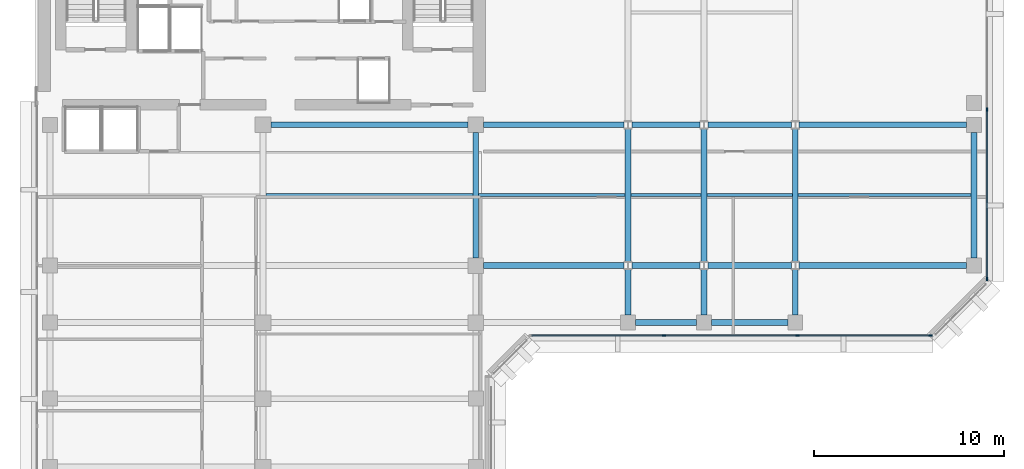
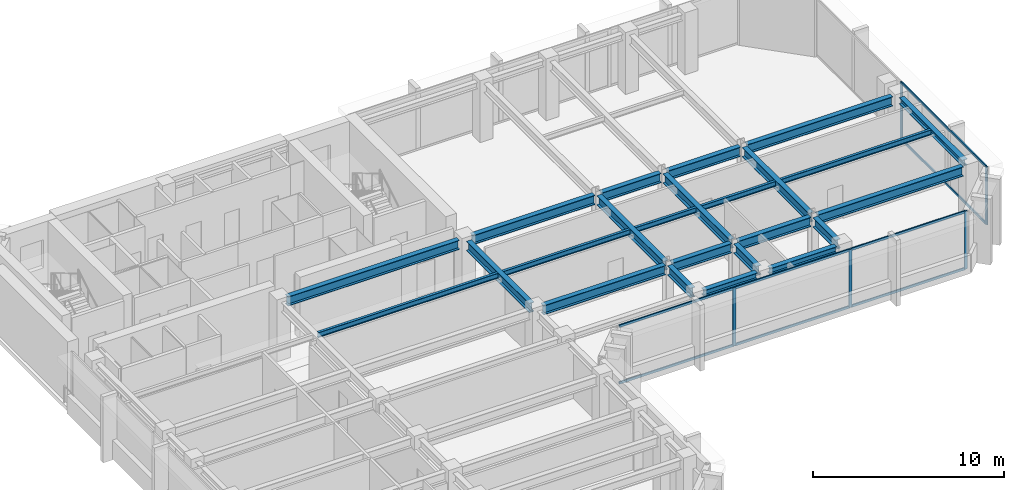
# One storey, part 3 of 12: 24 beams, 13 members, 2 elements without a shape of their own.
"""IFC4 building model written with IfcOpenShell, lengths in metres."""

from ifc_helpers import new_model, si_unit, direction, frame, origin, origin_2d, place, context, subcontext, project, spatial, rectangle, i_section, extrude, material, layer, layer_set, material_profile, profile_set, type_object, element, aggregate, save


model = new_model("IFC4")

# Units and contexts
model_context = context("Model", 3, precision=1e-05, world=origin(), true_north=direction((0.0, 1.0)))
body_context = subcontext(model_context, "Body", "Model", "MODEL_VIEW")
ifc_project = project(units=[si_unit("LENGTHUNIT", "METRE"), si_unit("AREAUNIT", "SQUARE_METRE"), si_unit("VOLUMEUNIT", "CUBIC_METRE"), si_unit("PLANEANGLEUNIT", "RADIAN"), si_unit("MASSUNIT", "GRAM", prefix="KILO")], contexts=[model_context])

# Site, building, storey
site_placement = place(None, origin())
site = spatial("IfcSite", under=ifc_project, at=site_placement, CompositionType="ELEMENT")
building_placement = place(site_placement, origin())
building = spatial("IfcBuilding", under=site, at=building_placement, Name="Kefirva Bronze Tower", CompositionType="ELEMENT")
storey_placement = place(building_placement, frame((0.0, 0.0, 264.330078125)))
storey = spatial("IfcBuildingStorey", under=building, at=storey_placement, Name="L64", CompositionType="ELEMENT", Elevation=264.330078125)

# Curtain wall, members
ifc_material_1 = material(Name="Bronze anodised aluminium", Category="aluminium")
ifc_layer = layer(ifc_material_1, 0.179931640625, Name="Bronze anodised aluminium")
ifc_layer_set = layer_set([ifc_layer], Name="Bronze anodised aluminium")
curtain_wall_type = type_object("IfcCurtainWallType", Name="Unitised Bronze Ribbon Curtain Wall Zone 3", PredefinedType="USERDEFINED", material=ifc_layer_set)
curtain_wall_1_placement = place(storey_placement, origin())
curtain_wall_1 = element("IfcCurtainWall", 1, at=curtain_wall_1_placement, inside=storey, type_object=curtain_wall_type, Name="L64 Curtain Wall 1", ObjectType="UNITISED CURTAIN WALL", PredefinedType="USERDEFINED")
ifc_material_profile_1 = material_profile(ifc_material_1, rectangle(XDim=0.074951171875, YDim=0.179931640625, at=origin_2d()), Name="ALU 75x180")
ifc_profile_set_1 = profile_set([ifc_material_profile_1], Name="Bronze anodised aluminium")
member_type_1 = type_object("IfcMemberType", Name="Bronze Mullion 75x180", PredefinedType="MULLION", material=ifc_profile_set_1)
member_1_placement = place(storey_placement, frame((33.0849609375, 22.1201171875, 0.0), z_axis=(0.0, 0.0, 1.0), x_axis=(0.0, 1.0, 0.0)))
member_1 = element("IfcMember", 2, at=member_1_placement, type_object=member_type_1, Name="CW-03 mullion 2", PredefinedType="MULLION", context=body_context, shape_type="SweptSolid", body=[
    extrude(rectangle(XDim=0.074951171875, YDim=0.179931640625, at=origin_2d()), origin(), (0.0, 0.0, 1.0), 3.7099609375),
])
member_2_placement = place(storey_placement, frame((40.114990234375, 22.1201171875, 0.0), z_axis=(0.0, 0.0, 1.0), x_axis=(0.0, 1.0, 0.0)))
member_2 = element("IfcMember", 3, at=member_2_placement, type_object=member_type_1, Name="CW-03 mullion 3", PredefinedType="MULLION", context=body_context, shape_type="SweptSolid", body=[
    extrude(rectangle(XDim=0.074951171875, YDim=0.179931640625, at=origin_2d()), origin(), (0.0, 0.0, 1.0), 3.7099609375),
])
member_3_placement = place(storey_placement, frame((47.107421875, 22.1201171875, 0.0), z_axis=(0.0, 0.0, 1.0), x_axis=(0.0, 1.0, 0.0)))
member_3 = element("IfcMember", 4, at=member_3_placement, type_object=member_type_1, Name="CW-03 mullion 4", PredefinedType="MULLION", context=body_context, shape_type="SweptSolid", body=[
    extrude(rectangle(XDim=0.074951171875, YDim=0.179931640625, at=origin_2d()), origin(), (0.0, 0.0, 1.0), 3.7099609375),
])

curtain_wall_2_placement = place(storey_placement, origin())
curtain_wall_2 = element("IfcCurtainWall", 5, at=curtain_wall_2_placement, inside=storey, type_object=curtain_wall_type, Name="L64 Curtain Wall 2", ObjectType="UNITISED CURTAIN WALL", PredefinedType="USERDEFINED")
member_4_placement = place(storey_placement, frame((50.080078125, 25.092529296875, 0.0), z_axis=(0.0, 0.0, 1.0), x_axis=(-1.0, 0.0, 0.0)))
member_4 = element("IfcMember", 6, at=member_4_placement, type_object=member_type_1, Name="CW-03 mullion 1", PredefinedType="MULLION", context=body_context, shape_type="SweptSolid", body=[
    extrude(rectangle(XDim=0.074951171875, YDim=0.179931640625, at=origin_2d()), origin(), (0.0, 0.0, 1.0), 3.7099609375),
])
member_5_placement = place(storey_placement, frame((50.080078125, 34.0, 0.0), z_axis=(0.0, 0.0, 1.0), x_axis=(-1.0, 0.0, 0.0)))
member_5 = element("IfcMember", 7, at=member_5_placement, type_object=member_type_1, Name="CW-03 mullion 2", PredefinedType="MULLION", context=body_context, shape_type="SweptSolid", body=[
    extrude(rectangle(XDim=0.074951171875, YDim=0.179931640625, at=origin_2d()), origin(), (0.0, 0.0, 1.0), 3.7099609375),
])

# Member
ifc_material_profile_2 = material_profile(ifc_material_1, rectangle(XDim=0.074951171875, YDim=0.14990234375, at=origin_2d()), Name="ALU 75x150")
ifc_profile_set_2 = profile_set([ifc_material_profile_2], Name="Bronze anodised aluminium")
member_type_2 = type_object("IfcMemberType", Name="Bronze Transom 75x150", PredefinedType="USERDEFINED", material=ifc_profile_set_2)
member_6_placement = place(storey_placement, frame((26.1298828125, 22.1201171875, 0.037353515625), z_axis=(1.0, 0.0, 0.0), x_axis=(0.0, 1.0, 0.0)))
member_6 = element("IfcMember", 8, at=member_6_placement, type_object=member_type_2, Name="CW-03 transom 1.1", ObjectType="TRANSOM", PredefinedType="USERDEFINED", context=body_context, shape_type="SweptSolid", body=[
    extrude(rectangle(XDim=0.074951171875, YDim=0.14990234375, at=origin_2d()), origin(), (0.0, 0.0, 1.0), 6.917724609375),
])

member_7_placement = place(storey_placement, frame((26.1298828125, 22.1201171875, 3.67236328125), z_axis=(1.0, 0.0, 0.0), x_axis=(0.0, 1.0, 0.0)))
member_7 = element("IfcMember", 9, at=member_7_placement, type_object=member_type_2, Name="CW-03 transom 1.2", ObjectType="TRANSOM", PredefinedType="USERDEFINED", context=body_context, shape_type="SweptSolid", body=[
    extrude(rectangle(XDim=0.074951171875, YDim=0.14990234375, at=origin_2d()), origin(), (0.0, 0.0, 1.0), 6.917724609375),
])

member_8_placement = place(storey_placement, frame((33.12255859375, 22.1201171875, 0.037353515625), z_axis=(1.0, 0.0, 0.0), x_axis=(0.0, 1.0, 0.0)))
member_8 = element("IfcMember", 10, at=member_8_placement, type_object=member_type_2, Name="CW-03 transom 2.1", ObjectType="TRANSOM", PredefinedType="USERDEFINED", context=body_context, shape_type="SweptSolid", body=[
    extrude(rectangle(XDim=0.074951171875, YDim=0.14990234375, at=origin_2d()), origin(), (0.0, 0.0, 1.0), 6.954833984375),
])

member_9_placement = place(storey_placement, frame((33.12255859375, 22.1201171875, 3.67236328125), z_axis=(1.0, 0.0, 0.0), x_axis=(0.0, 1.0, 0.0)))
member_9 = element("IfcMember", 11, at=member_9_placement, type_object=member_type_2, Name="CW-03 transom 2.2", ObjectType="TRANSOM", PredefinedType="USERDEFINED", context=body_context, shape_type="SweptSolid", body=[
    extrude(rectangle(XDim=0.074951171875, YDim=0.14990234375, at=origin_2d()), origin(), (0.0, 0.0, 1.0), 6.954833984375),
])

member_10_placement = place(storey_placement, frame((40.152587890625, 22.1201171875, 0.037353515625), z_axis=(1.0, 0.0, 0.0), x_axis=(0.0, 1.0, 0.0)))
member_10 = element("IfcMember", 12, at=member_10_placement, type_object=member_type_2, Name="CW-03 transom 3.1", ObjectType="TRANSOM", PredefinedType="USERDEFINED", context=body_context, shape_type="SweptSolid", body=[
    extrude(rectangle(XDim=0.074951171875, YDim=0.14990234375, at=origin_2d()), origin(), (0.0, 0.0, 1.0), 6.91748046875),
])

member_11_placement = place(storey_placement, frame((40.152587890625, 22.1201171875, 3.67236328125), z_axis=(1.0, 0.0, 0.0), x_axis=(0.0, 1.0, 0.0)))
member_11 = element("IfcMember", 13, at=member_11_placement, type_object=member_type_2, Name="CW-03 transom 3.2", ObjectType="TRANSOM", PredefinedType="USERDEFINED", context=body_context, shape_type="SweptSolid", body=[
    extrude(rectangle(XDim=0.074951171875, YDim=0.14990234375, at=origin_2d()), origin(), (0.0, 0.0, 1.0), 6.91748046875),
])

aggregate(curtain_wall_1, [member_1, member_2, member_3, member_6, member_7, member_8, member_9, member_10, member_11])

member_12_placement = place(storey_placement, frame((50.080078125, 25.1298828125, 0.037353515625), z_axis=(0.0, 1.0, 0.0), x_axis=(-1.0, 0.0, 0.0)))
member_12 = element("IfcMember", 14, at=member_12_placement, type_object=member_type_2, Name="CW-03 transom 1.1", ObjectType="TRANSOM", PredefinedType="USERDEFINED", context=body_context, shape_type="SweptSolid", body=[
    extrude(rectangle(XDim=0.074951171875, YDim=0.14990234375, at=origin_2d()), origin(), (0.0, 0.0, 1.0), 8.83251953125),
])

member_13_placement = place(storey_placement, frame((50.080078125, 25.1298828125, 3.67236328125), z_axis=(0.0, 1.0, 0.0), x_axis=(-1.0, 0.0, 0.0)))
member_13 = element("IfcMember", 15, at=member_13_placement, type_object=member_type_2, Name="CW-03 transom 1.2", ObjectType="TRANSOM", PredefinedType="USERDEFINED", context=body_context, shape_type="SweptSolid", body=[
    extrude(rectangle(XDim=0.074951171875, YDim=0.14990234375, at=origin_2d()), origin(), (0.0, 0.0, 1.0), 8.83251953125),
])

aggregate(curtain_wall_2, [member_4, member_5, member_12, member_13])

# Beams
ifc_material_2 = material(Name="Steel S355", Category="steel")
ifc_material_profile_3 = material_profile(ifc_material_2, i_section(OverallWidth=0.159912109375, OverallDepth=0.330078125, WebThickness=0.007568359375, FlangeThickness=0.011474609375, at=origin_2d()), Name="IPE 330")
ifc_profile_set_3 = profile_set([ifc_material_profile_3], Name="Steel S355")
beam_type_1 = type_object("IfcBeamType", Name="Steel Floor Joist IPE 330", PredefinedType="JOIST", material=ifc_profile_set_3)
beam_1_placement = place(storey_placement, frame((12.14990234375, 29.5, 3.544921875), z_axis=(1.0, 0.0, 0.0), x_axis=(0.0, 1.0, 0.0)))
element("IfcBeam", 16, at=beam_1_placement, inside=storey, type_object=beam_type_1, Name="L64 JST-L64-12-295", PredefinedType="JOIST", context=body_context, shape_type="SweptSolid", body=[
    extrude(i_section(OverallWidth=0.159912109375, OverallDepth=0.330078125, WebThickness=0.007568359375, FlangeThickness=0.011474609375, at=origin_2d()), origin(), (0.0, 0.0, 1.0), 10.900146484375),
])
beam_2_placement = place(storey_placement, frame((23.35009765625, 29.5, 3.544921875), z_axis=(1.0, 0.0, 0.0), x_axis=(0.0, 1.0, 0.0)))
element("IfcBeam", 17, at=beam_2_placement, inside=storey, type_object=beam_type_1, Name="L64 JST-L64-23-295", PredefinedType="JOIST", context=body_context, shape_type="SweptSolid", body=[
    extrude(i_section(OverallWidth=0.159912109375, OverallDepth=0.330078125, WebThickness=0.007568359375, FlangeThickness=0.011474609375, at=origin_2d()), origin(), (0.0, 0.0, 1.0), 7.699951171875),
])
beam_3_placement = place(storey_placement, frame((31.35009765625, 29.5, 3.544921875), z_axis=(1.0, 0.0, 0.0), x_axis=(0.0, 1.0, 0.0)))
element("IfcBeam", 18, at=beam_3_placement, inside=storey, type_object=beam_type_1, Name="L64 JST-L64-31-295", PredefinedType="JOIST", context=body_context, shape_type="SweptSolid", body=[
    extrude(i_section(OverallWidth=0.159912109375, OverallDepth=0.330078125, WebThickness=0.007568359375, FlangeThickness=0.011474609375, at=origin_2d()), origin(), (0.0, 0.0, 1.0), 3.699951171875),
])
beam_4_placement = place(storey_placement, frame((35.35009765625, 29.5, 3.544921875), z_axis=(1.0, 0.0, 0.0), x_axis=(0.0, 1.0, 0.0)))
element("IfcBeam", 19, at=beam_4_placement, inside=storey, type_object=beam_type_1, Name="L64 JST-L64-35-295", PredefinedType="JOIST", context=body_context, shape_type="SweptSolid", body=[
    extrude(i_section(OverallWidth=0.159912109375, OverallDepth=0.330078125, WebThickness=0.007568359375, FlangeThickness=0.011474609375, at=origin_2d()), origin(), (0.0, 0.0, 1.0), 4.5),
])
beam_5_placement = place(storey_placement, frame((40.14990234375, 29.5, 3.544921875), z_axis=(1.0, 0.0, 0.0), x_axis=(0.0, 1.0, 0.0)))
element("IfcBeam", 20, at=beam_5_placement, inside=storey, type_object=beam_type_1, Name="L64 JST-L64-40-295", PredefinedType="JOIST", context=body_context, shape_type="SweptSolid", body=[
    extrude(i_section(OverallWidth=0.159912109375, OverallDepth=0.330078125, WebThickness=0.007568359375, FlangeThickness=0.011474609375, at=origin_2d()), origin(), (0.0, 0.0, 1.0), 9.10009765625),
])
ifc_material_profile_4 = material_profile(ifc_material_2, i_section(OverallWidth=0.300048828125, OverallDepth=0.60009765625, WebThickness=0.015380859375, FlangeThickness=0.030029296875, at=origin_2d()), Name="HEB 600")
ifc_profile_set_4 = profile_set([ifc_material_profile_4], Name="Steel S355")
beam_type_2 = type_object("IfcBeamType", Name="Steel Girder HEB 600", PredefinedType="USERDEFINED", material=ifc_profile_set_4)
beam_6_placement = place(storey_placement, frame((23.610107421875, 25.800048828125, 3.409912109375), z_axis=(1.0, 0.0, 0.0), x_axis=(0.0, 1.0, 0.0)))
element("IfcBeam", 21, at=beam_6_placement, inside=storey, type_object=beam_type_2, Name="L64 BM-L64-EW-23-258", ObjectType="GIRDER", PredefinedType="USERDEFINED", context=body_context, shape_type="SweptSolid", body=[
    extrude(i_section(OverallWidth=0.300048828125, OverallDepth=0.60009765625, WebThickness=0.015380859375, FlangeThickness=0.030029296875, at=origin_2d()), origin(), (0.0, 0.0, 1.0), 7.3837890625),
])
beam_7_placement = place(storey_placement, frame((31.406005859375, 25.800048828125, 3.409912109375), z_axis=(1.0, 0.0, 0.0), x_axis=(0.0, 1.0, 0.0)))
element("IfcBeam", 22, at=beam_7_placement, inside=storey, type_object=beam_type_2, Name="L64 BM-L64-EW-31-258", ObjectType="GIRDER", PredefinedType="USERDEFINED", context=body_context, shape_type="SweptSolid", body=[
    extrude(i_section(OverallWidth=0.300048828125, OverallDepth=0.60009765625, WebThickness=0.015380859375, FlangeThickness=0.030029296875, at=origin_2d()), origin(), (0.0, 0.0, 1.0), 3.587890625),
])
beam_8_placement = place(storey_placement, frame((35.406005859375, 25.800048828125, 3.409912109375), z_axis=(1.0, 0.0, 0.0), x_axis=(0.0, 1.0, 0.0)))
element("IfcBeam", 23, at=beam_8_placement, inside=storey, type_object=beam_type_2, Name="L64 BM-L64-EW-35-258", ObjectType="GIRDER", PredefinedType="USERDEFINED", context=body_context, shape_type="SweptSolid", body=[
    extrude(i_section(OverallWidth=0.300048828125, OverallDepth=0.60009765625, WebThickness=0.015380859375, FlangeThickness=0.030029296875, at=origin_2d()), origin(), (0.0, 0.0, 1.0), 4.387939453125),
])
beam_9_placement = place(storey_placement, frame((40.2060546875, 25.800048828125, 3.409912109375), z_axis=(1.0, 0.0, 0.0), x_axis=(0.0, 1.0, 0.0)))
element("IfcBeam", 24, at=beam_9_placement, inside=storey, type_object=beam_type_2, Name="L64 BM-L64-EW-40-258", ObjectType="GIRDER", PredefinedType="USERDEFINED", context=body_context, shape_type="SweptSolid", body=[
    extrude(i_section(OverallWidth=0.300048828125, OverallDepth=0.60009765625, WebThickness=0.015380859375, FlangeThickness=0.030029296875, at=origin_2d()), origin(), (0.0, 0.0, 1.0), 8.803955078125),
])
beam_10_placement = place(storey_placement, frame((12.409912109375, 33.199951171875, 3.409912109375), z_axis=(1.0, 0.0, 0.0), x_axis=(0.0, 1.0, 0.0)))
element("IfcBeam", 25, at=beam_10_placement, inside=storey, type_object=beam_type_2, Name="L64 BM-L64-EW-12-332", ObjectType="GIRDER", PredefinedType="USERDEFINED", context=body_context, shape_type="SweptSolid", body=[
    extrude(i_section(OverallWidth=0.300048828125, OverallDepth=0.60009765625, WebThickness=0.015380859375, FlangeThickness=0.030029296875, at=origin_2d()), origin(), (0.0, 0.0, 1.0), 10.380126953125),
])
beam_11_placement = place(storey_placement, frame((23.610107421875, 33.199951171875, 3.409912109375), z_axis=(1.0, 0.0, 0.0), x_axis=(0.0, 1.0, 0.0)))
element("IfcBeam", 26, at=beam_11_placement, inside=storey, type_object=beam_type_2, Name="L64 BM-L64-EW-23-332", ObjectType="GIRDER", PredefinedType="USERDEFINED", context=body_context, shape_type="SweptSolid", body=[
    extrude(i_section(OverallWidth=0.300048828125, OverallDepth=0.60009765625, WebThickness=0.015380859375, FlangeThickness=0.030029296875, at=origin_2d()), origin(), (0.0, 0.0, 1.0), 7.3837890625),
])
beam_12_placement = place(storey_placement, frame((31.406005859375, 33.199951171875, 3.409912109375), z_axis=(1.0, 0.0, 0.0), x_axis=(0.0, 1.0, 0.0)))
element("IfcBeam", 27, at=beam_12_placement, inside=storey, type_object=beam_type_2, Name="L64 BM-L64-EW-31-332", ObjectType="GIRDER", PredefinedType="USERDEFINED", context=body_context, shape_type="SweptSolid", body=[
    extrude(i_section(OverallWidth=0.300048828125, OverallDepth=0.60009765625, WebThickness=0.015380859375, FlangeThickness=0.030029296875, at=origin_2d()), origin(), (0.0, 0.0, 1.0), 3.587890625),
])
beam_13_placement = place(storey_placement, frame((35.406005859375, 33.199951171875, 3.409912109375), z_axis=(1.0, 0.0, 0.0), x_axis=(0.0, 1.0, 0.0)))
element("IfcBeam", 28, at=beam_13_placement, inside=storey, type_object=beam_type_2, Name="L64 BM-L64-EW-35-332", ObjectType="GIRDER", PredefinedType="USERDEFINED", context=body_context, shape_type="SweptSolid", body=[
    extrude(i_section(OverallWidth=0.300048828125, OverallDepth=0.60009765625, WebThickness=0.015380859375, FlangeThickness=0.030029296875, at=origin_2d()), origin(), (0.0, 0.0, 1.0), 4.387939453125),
])
beam_14_placement = place(storey_placement, frame((40.2060546875, 33.199951171875, 3.409912109375), z_axis=(1.0, 0.0, 0.0), x_axis=(0.0, 1.0, 0.0)))
element("IfcBeam", 29, at=beam_14_placement, inside=storey, type_object=beam_type_2, Name="L64 BM-L64-EW-40-332", ObjectType="GIRDER", PredefinedType="USERDEFINED", context=body_context, shape_type="SweptSolid", body=[
    extrude(i_section(OverallWidth=0.300048828125, OverallDepth=0.60009765625, WebThickness=0.015380859375, FlangeThickness=0.030029296875, at=origin_2d()), origin(), (0.0, 0.0, 1.0), 8.803955078125),
])
beam_15_placement = place(storey_placement, frame((23.199951171875, 26.2099609375, 3.409912109375), z_axis=(0.0, 1.0, 0.0), x_axis=(-1.0, 0.0, 0.0)))
element("IfcBeam", 30, at=beam_15_placement, inside=storey, type_object=beam_type_2, Name="L64 BM-L64-NS-232-25", ObjectType="GIRDER", PredefinedType="USERDEFINED", context=body_context, shape_type="SweptSolid", body=[
    extrude(i_section(OverallWidth=0.300048828125, OverallDepth=0.60009765625, WebThickness=0.015380859375, FlangeThickness=0.030029296875, at=origin_2d()), origin(), (0.0, 0.0, 1.0), 6.580078125),
])
beam_16_placement = place(storey_placement, frame((31.199951171875, 23.18994140625, 3.409912109375), z_axis=(0.0, 1.0, 0.0), x_axis=(-1.0, 0.0, 0.0)))
element("IfcBeam", 31, at=beam_16_placement, inside=storey, type_object=beam_type_2, Name="L64 BM-L64-NS-312-22", ObjectType="GIRDER", PredefinedType="USERDEFINED", context=body_context, shape_type="SweptSolid", body=[
    extrude(i_section(OverallWidth=0.300048828125, OverallDepth=0.60009765625, WebThickness=0.015380859375, FlangeThickness=0.030029296875, at=origin_2d()), origin(), (0.0, 0.0, 1.0), 2.392578125),
])
beam_17_placement = place(storey_placement, frame((31.199951171875, 26.017578125, 3.409912109375), z_axis=(0.0, 1.0, 0.0), x_axis=(-1.0, 0.0, 0.0)))
element("IfcBeam", 32, at=beam_17_placement, inside=storey, type_object=beam_type_2, Name="L64 BM-L64-NS-312-25", ObjectType="GIRDER", PredefinedType="USERDEFINED", context=body_context, shape_type="SweptSolid", body=[
    extrude(i_section(OverallWidth=0.300048828125, OverallDepth=0.60009765625, WebThickness=0.015380859375, FlangeThickness=0.030029296875, at=origin_2d()), origin(), (0.0, 0.0, 1.0), 6.96484375),
])
beam_18_placement = place(storey_placement, frame((35.199951171875, 23.18994140625, 3.409912109375), z_axis=(0.0, 1.0, 0.0), x_axis=(-1.0, 0.0, 0.0)))
element("IfcBeam", 33, at=beam_18_placement, inside=storey, type_object=beam_type_2, Name="L64 BM-L64-NS-352-22", ObjectType="GIRDER", PredefinedType="USERDEFINED", context=body_context, shape_type="SweptSolid", body=[
    extrude(i_section(OverallWidth=0.300048828125, OverallDepth=0.60009765625, WebThickness=0.015380859375, FlangeThickness=0.030029296875, at=origin_2d()), origin(), (0.0, 0.0, 1.0), 2.392578125),
])
beam_19_placement = place(storey_placement, frame((35.199951171875, 26.017578125, 3.409912109375), z_axis=(0.0, 1.0, 0.0), x_axis=(-1.0, 0.0, 0.0)))
element("IfcBeam", 34, at=beam_19_placement, inside=storey, type_object=beam_type_2, Name="L64 BM-L64-NS-352-25", ObjectType="GIRDER", PredefinedType="USERDEFINED", context=body_context, shape_type="SweptSolid", body=[
    extrude(i_section(OverallWidth=0.300048828125, OverallDepth=0.60009765625, WebThickness=0.015380859375, FlangeThickness=0.030029296875, at=origin_2d()), origin(), (0.0, 0.0, 1.0), 6.96484375),
])
beam_20_placement = place(storey_placement, frame((40.0, 23.18994140625, 3.409912109375), z_axis=(0.0, 1.0, 0.0), x_axis=(-1.0, 0.0, 0.0)))
element("IfcBeam", 35, at=beam_20_placement, inside=storey, type_object=beam_type_2, Name="L64 BM-L64-NS-400-22", ObjectType="GIRDER", PredefinedType="USERDEFINED", context=body_context, shape_type="SweptSolid", body=[
    extrude(i_section(OverallWidth=0.300048828125, OverallDepth=0.60009765625, WebThickness=0.015380859375, FlangeThickness=0.030029296875, at=origin_2d()), origin(), (0.0, 0.0, 1.0), 2.392578125),
])
beam_21_placement = place(storey_placement, frame((40.0, 26.017578125, 3.409912109375), z_axis=(0.0, 1.0, 0.0), x_axis=(-1.0, 0.0, 0.0)))
element("IfcBeam", 36, at=beam_21_placement, inside=storey, type_object=beam_type_2, Name="L64 BM-L64-NS-400-25", ObjectType="GIRDER", PredefinedType="USERDEFINED", context=body_context, shape_type="SweptSolid", body=[
    extrude(i_section(OverallWidth=0.300048828125, OverallDepth=0.60009765625, WebThickness=0.015380859375, FlangeThickness=0.030029296875, at=origin_2d()), origin(), (0.0, 0.0, 1.0), 6.96484375),
])
ifc_material_profile_5 = material_profile(ifc_material_2, i_section(OverallWidth=0.300048828125, OverallDepth=0.39990234375, WebThickness=0.013427734375, FlangeThickness=0.02392578125, at=origin_2d()), Name="HEB 400")
ifc_profile_set_5 = profile_set([ifc_material_profile_5], Name="Steel S355")
beam_type_3 = type_object("IfcBeamType", Name="Steel Spandrel HEB 400 Ext", PredefinedType="SPANDREL", material=ifc_profile_set_5)
beam_22_placement = place(storey_placement, frame((31.590087890625, 22.800048828125, 3.510009765625), z_axis=(1.0, 0.0, 0.0), x_axis=(0.0, 1.0, 0.0)))
element("IfcBeam", 37, at=beam_22_placement, inside=storey, type_object=beam_type_3, Name="L64 BM-L64-EW-31-228", PredefinedType="SPANDREL", context=body_context, shape_type="SweptSolid", body=[
    extrude(i_section(OverallWidth=0.300048828125, OverallDepth=0.39990234375, WebThickness=0.013427734375, FlangeThickness=0.02392578125, at=origin_2d()), origin(), (0.0, 0.0, 1.0), 3.219970703125),
])
beam_23_placement = place(storey_placement, frame((35.590087890625, 22.800048828125, 3.510009765625), z_axis=(1.0, 0.0, 0.0), x_axis=(0.0, 1.0, 0.0)))
element("IfcBeam", 38, at=beam_23_placement, inside=storey, type_object=beam_type_3, Name="L64 BM-L64-EW-35-228", PredefinedType="SPANDREL", context=body_context, shape_type="SweptSolid", body=[
    extrude(i_section(OverallWidth=0.300048828125, OverallDepth=0.39990234375, WebThickness=0.013427734375, FlangeThickness=0.02392578125, at=origin_2d()), origin(), (0.0, 0.0, 1.0), 4.02001953125),
])
beam_24_placement = place(storey_placement, frame((49.39990234375, 26.18994140625, 3.510009765625), z_axis=(0.0, 1.0, 0.0), x_axis=(-1.0, 0.0, 0.0)))
element("IfcBeam", 39, at=beam_24_placement, inside=storey, type_object=beam_type_3, Name="L64 BM-L64-NS-494-25", PredefinedType="SPANDREL", context=body_context, shape_type="SweptSolid", body=[
    extrude(i_section(OverallWidth=0.300048828125, OverallDepth=0.39990234375, WebThickness=0.013427734375, FlangeThickness=0.02392578125, at=origin_2d()), origin(), (0.0, 0.0, 1.0), 6.6201171875),
])

save(model, "model.ifc")
